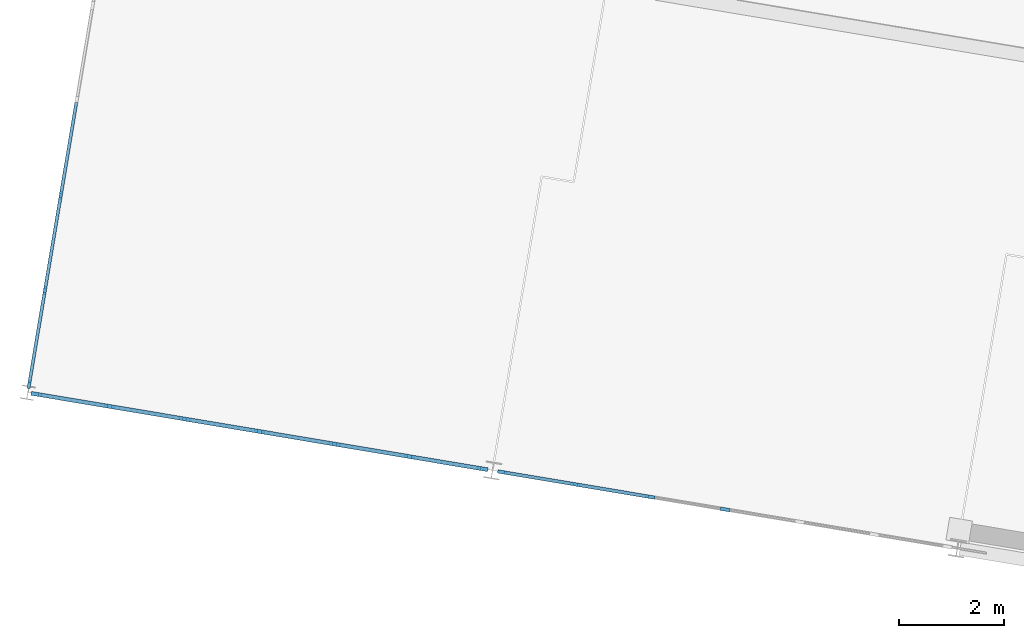
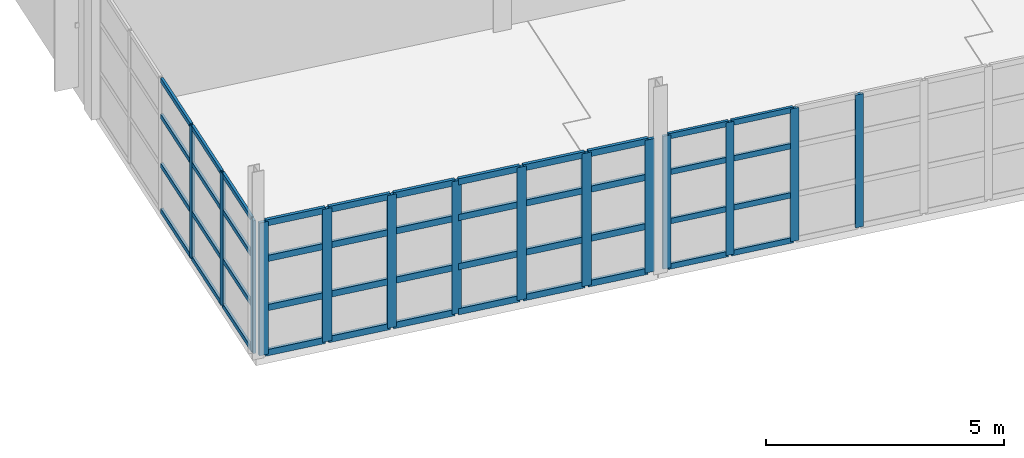
# One storey, part 38 of 102: 58 members, 3 elements without a shape of their own.
"""IFC4 building model written with IfcOpenShell, lengths in metres."""

from ifc_helpers import new_model, si_unit, direction, frame, origin, origin_2d, place, context, subcontext, project, spatial, rectangle, extrude, material, layer, layer_set, material_profile, profile_set, type_object, element, aggregate, save


model = new_model("IFC4")

# Units and contexts
model_context = context("Model", 3, precision=1e-05, world=origin(), true_north=direction((0.0, 1.0)))
body_context = subcontext(model_context, "Body", "Model", "MODEL_VIEW")
ifc_project = project(units=[si_unit("LENGTHUNIT", "METRE"), si_unit("AREAUNIT", "SQUARE_METRE"), si_unit("VOLUMEUNIT", "CUBIC_METRE"), si_unit("PLANEANGLEUNIT", "RADIAN"), si_unit("MASSUNIT", "GRAM", prefix="KILO")], contexts=[model_context])

# Site, building, storey
site_placement = place(None, origin())
site = spatial("IfcSite", under=ifc_project, at=site_placement, CompositionType="ELEMENT")
building_placement = place(site_placement, origin())
building = spatial("IfcBuilding", under=site, at=building_placement, Name="Vireo Bluff Cable Station", CompositionType="ELEMENT")
storey_placement = place(building_placement, frame((0.0, 0.0, 9.60009765625)))
storey = spatial("IfcBuildingStorey", under=building, at=storey_placement, Name="L02", CompositionType="ELEMENT", Elevation=9.60009765625)

# Curtain wall, members
ifc_material = material(Name="Anodized Aluminium 6063-T6", Category="aluminium")
ifc_layer_1 = layer(ifc_material, 0.179931640625, Name="Anodized Aluminium 6063-T6")
ifc_layer_set_1 = layer_set([ifc_layer_1], Name="Anodized Aluminium 6063-T6")
curtain_wall_type_1 = type_object("IfcCurtainWallType", Name="CW-UNIT-1400", PredefinedType="USERDEFINED", material=ifc_layer_set_1)
curtain_wall_1_placement = place(storey_placement, origin())
curtain_wall_1 = element("IfcCurtainWall", 1, at=curtain_wall_1_placement, inside=storey, type_object=curtain_wall_type_1, Name="V4 L02 south curtain wall CW-096", ObjectType="UNITISED CURTAIN WALL", PredefinedType="USERDEFINED")
ifc_material_profile_1 = material_profile(ifc_material, rectangle(XDim=0.06494140625, YDim=0.179931640625, at=origin_2d()), Name="ALU-M-65X180")
ifc_profile_set_1 = profile_set([ifc_material_profile_1], Name="Anodized Aluminium 6063-T6")
member_type_1 = type_object("IfcMemberType", Name="CWM-01", PredefinedType="MULLION", material=ifc_profile_set_1)
member_1_placement = place(storey_placement, frame((18.81396484375, 69.27197265625, 0.0), z_axis=(0.0, 0.0, 1.0), x_axis=(-0.165047656366, -0.986285593085, 0.0)))
member_1 = element("IfcMember", 2, at=member_1_placement, type_object=member_type_1, Name="CW-096 mullion 4", PredefinedType="MULLION", context=body_context, shape_type="SweptSolid", body=[
    extrude(rectangle(XDim=0.06494140625, YDim=0.179931640625, at=origin_2d()), origin(), (0.0, 0.0, 1.0), 3.39990234375),
])
member_2_placement = place(storey_placement, frame((17.38623046875, 69.510986328125, 0.0), z_axis=(0.0, 0.0, 1.0), x_axis=(-0.165047656366, -0.986285593085, 0.0)))
member_2 = element("IfcMember", 3, at=member_2_placement, type_object=member_type_1, Name="CW-096 mullion 5", PredefinedType="MULLION", context=body_context, shape_type="SweptSolid", body=[
    extrude(rectangle(XDim=0.06494140625, YDim=0.179931640625, at=origin_2d()), origin(), (0.0, 0.0, 1.0), 3.39990234375),
])
member_3_placement = place(storey_placement, frame((15.95849609375, 69.749755859375, 0.0), z_axis=(0.0, 0.0, 1.0), x_axis=(-0.165047656366, -0.986285593085, 0.0)))
member_3 = element("IfcMember", 4, at=member_3_placement, type_object=member_type_1, Name="CW-096 mullion 6", PredefinedType="MULLION", context=body_context, shape_type="SweptSolid", body=[
    extrude(rectangle(XDim=0.06494140625, YDim=0.179931640625, at=origin_2d()), origin(), (0.0, 0.0, 1.0), 3.39990234375),
])
member_4_placement = place(storey_placement, frame((14.56298828125, 69.9833984375, 0.0), z_axis=(0.0, 0.0, 1.0), x_axis=(-0.165047656366, -0.986285593085, 0.0)))
member_4 = element("IfcMember", 5, at=member_4_placement, type_object=member_type_1, Name="CW-096 mullion 7", PredefinedType="MULLION", context=body_context, shape_type="SweptSolid", body=[
    extrude(rectangle(XDim=0.06494140625, YDim=0.179931640625, at=origin_2d()), origin(), (0.0, 0.0, 1.0), 3.39990234375),
])

ifc_layer_2 = layer(ifc_material, 0.179931640625, Name="Anodized Aluminium 6063-T6")
ifc_layer_set_2 = layer_set([ifc_layer_2], Name="Anodized Aluminium 6063-T6")
curtain_wall_type_2 = type_object("IfcCurtainWallType", Name="CW-UNIT-1500", PredefinedType="USERDEFINED", material=ifc_layer_set_2)
curtain_wall_2_placement = place(storey_placement, origin())
curtain_wall_2 = element("IfcCurtainWall", 6, at=curtain_wall_2_placement, inside=storey, type_object=curtain_wall_type_2, Name="V4 L02 south curtain wall CW-097", ObjectType="UNITISED CURTAIN WALL", PredefinedType="USERDEFINED")
ifc_material_profile_2 = material_profile(ifc_material, rectangle(XDim=0.074951171875, YDim=0.2099609375, at=origin_2d()), Name="ALU-M-75X210")
ifc_profile_set_2 = profile_set([ifc_material_profile_2], Name="Anodized Aluminium 6063-T6")
member_type_2 = type_object("IfcMemberType", Name="CWM-02", PredefinedType="MULLION", material=ifc_profile_set_2)
member_5_placement = place(storey_placement, frame((14.185302734375, 70.046630859375, 0.0), z_axis=(0.0, 0.0, 1.0), x_axis=(-0.165047618978, -0.986285599342, 0.0)))
member_5 = element("IfcMember", 7, at=member_5_placement, type_object=member_type_2, Name="CW-097 mullion 1", PredefinedType="MULLION", context=body_context, shape_type="SweptSolid", body=[
    extrude(rectangle(XDim=0.074951171875, YDim=0.2099609375, at=origin_2d()), origin(), (0.0, 0.0, 1.0), 3.39990234375),
])
member_6_placement = place(storey_placement, frame((12.7900390625, 70.280029296875, 0.0), z_axis=(0.0, 0.0, 1.0), x_axis=(-0.165047618978, -0.986285599342, 0.0)))
member_6 = element("IfcMember", 8, at=member_6_placement, type_object=member_type_2, Name="CW-097 mullion 2", PredefinedType="MULLION", context=body_context, shape_type="SweptSolid", body=[
    extrude(rectangle(XDim=0.074951171875, YDim=0.2099609375, at=origin_2d()), origin(), (0.0, 0.0, 1.0), 3.39990234375),
])
member_7_placement = place(storey_placement, frame((11.357666015625, 70.519775390625, 0.0), z_axis=(0.0, 0.0, 1.0), x_axis=(-0.165047618978, -0.986285599342, 0.0)))
member_7 = element("IfcMember", 9, at=member_7_placement, type_object=member_type_2, Name="CW-097 mullion 3", PredefinedType="MULLION", context=body_context, shape_type="SweptSolid", body=[
    extrude(rectangle(XDim=0.074951171875, YDim=0.2099609375, at=origin_2d()), origin(), (0.0, 0.0, 1.0), 3.39990234375),
])
member_8_placement = place(storey_placement, frame((9.925537109375, 70.759521484375, 0.0), z_axis=(0.0, 0.0, 1.0), x_axis=(-0.165047618978, -0.986285599342, 0.0)))
member_8 = element("IfcMember", 10, at=member_8_placement, type_object=member_type_2, Name="CW-097 mullion 4", PredefinedType="MULLION", context=body_context, shape_type="SweptSolid", body=[
    extrude(rectangle(XDim=0.074951171875, YDim=0.2099609375, at=origin_2d()), origin(), (0.0, 0.0, 1.0), 3.39990234375),
])
member_9_placement = place(storey_placement, frame((8.4931640625, 70.9990234375, 0.0), z_axis=(0.0, 0.0, 1.0), x_axis=(-0.165047618978, -0.986285599342, 0.0)))
member_9 = element("IfcMember", 11, at=member_9_placement, type_object=member_type_2, Name="CW-097 mullion 5", PredefinedType="MULLION", context=body_context, shape_type="SweptSolid", body=[
    extrude(rectangle(XDim=0.074951171875, YDim=0.2099609375, at=origin_2d()), origin(), (0.0, 0.0, 1.0), 3.39990234375),
])
member_10_placement = place(storey_placement, frame((7.06103515625, 71.23876953125, 0.0), z_axis=(0.0, 0.0, 1.0), x_axis=(-0.165047618978, -0.986285599342, 0.0)))
member_10 = element("IfcMember", 12, at=member_10_placement, type_object=member_type_2, Name="CW-097 mullion 6", PredefinedType="MULLION", context=body_context, shape_type="SweptSolid", body=[
    extrude(rectangle(XDim=0.074951171875, YDim=0.2099609375, at=origin_2d()), origin(), (0.0, 0.0, 1.0), 3.39990234375),
])
member_11_placement = place(storey_placement, frame((5.665771484375, 71.47216796875, 0.0), z_axis=(0.0, 0.0, 1.0), x_axis=(-0.165047618978, -0.986285599342, 0.0)))
member_11 = element("IfcMember", 13, at=member_11_placement, type_object=member_type_2, Name="CW-097 mullion 7", PredefinedType="MULLION", context=body_context, shape_type="SweptSolid", body=[
    extrude(rectangle(XDim=0.074951171875, YDim=0.2099609375, at=origin_2d()), origin(), (0.0, 0.0, 1.0), 3.39990234375),
])

ifc_layer_3 = layer(ifc_material, 0.159912109375, Name="Anodized Aluminium 6063-T6")
ifc_layer_set_3 = layer_set([ifc_layer_3], Name="Anodized Aluminium 6063-T6")
curtain_wall_type_3 = type_object("IfcCurtainWallType", Name="CW-STICK-1750", PredefinedType="USERDEFINED", material=ifc_layer_set_3)
curtain_wall_3_placement = place(storey_placement, origin())
curtain_wall_3 = element("IfcCurtainWall", 14, at=curtain_wall_3_placement, inside=storey, type_object=curtain_wall_type_3, Name="V4 L02 west curtain wall CW-098", ObjectType="STICK CURTAIN WALL", PredefinedType="USERDEFINED")
ifc_material_profile_3 = material_profile(ifc_material, rectangle(XDim=0.06005859375, YDim=0.159912109375, at=origin_2d()), Name="ALU-M-60X160")
ifc_profile_set_3 = profile_set([ifc_material_profile_3], Name="Anodized Aluminium 6063-T6")
member_type_3 = type_object("IfcMemberType", Name="CWM-03", PredefinedType="MULLION", material=ifc_profile_set_3)
member_12_placement = place(storey_placement, frame((5.527099609375, 71.661865234375, 0.0), z_axis=(0.0, 0.0, 1.0), x_axis=(-0.986285596562, 0.165047635589, 0.0)))
member_12 = element("IfcMember", 15, at=member_12_placement, type_object=member_type_3, Name="CW-098 mullion 1", PredefinedType="MULLION", context=body_context, shape_type="SweptSolid", body=[
    extrude(rectangle(XDim=0.06005859375, YDim=0.159912109375, at=origin_2d()), origin(), (0.0, 0.0, 1.0), 3.39990234375),
])
member_13_placement = place(storey_placement, frame((5.825927734375, 73.447509765625, 0.0), z_axis=(0.0, 0.0, 1.0), x_axis=(-0.986285596562, 0.165047635589, 0.0)))
member_13 = element("IfcMember", 16, at=member_13_placement, type_object=member_type_3, Name="CW-098 mullion 2", PredefinedType="MULLION", context=body_context, shape_type="SweptSolid", body=[
    extrude(rectangle(XDim=0.06005859375, YDim=0.159912109375, at=origin_2d()), origin(), (0.0, 0.0, 1.0), 3.39990234375),
])
member_14_placement = place(storey_placement, frame((6.129638671875, 75.2626953125, 0.0), z_axis=(0.0, 0.0, 1.0), x_axis=(-0.986285596562, 0.165047635589, 0.0)))
member_14 = element("IfcMember", 17, at=member_14_placement, type_object=member_type_3, Name="CW-098 mullion 3", PredefinedType="MULLION", context=body_context, shape_type="SweptSolid", body=[
    extrude(rectangle(XDim=0.06005859375, YDim=0.159912109375, at=origin_2d()), origin(), (0.0, 0.0, 1.0), 3.39990234375),
])

# Member
ifc_material_profile_4 = material_profile(ifc_material, rectangle(XDim=0.06494140625, YDim=0.139892578125, at=origin_2d()), Name="ALU-T-65X140")
ifc_profile_set_4 = profile_set([ifc_material_profile_4], Name="Anodized Aluminium 6063-T6")
member_type_4 = type_object("IfcMemberType", Name="CWT-01", PredefinedType="USERDEFINED", material=ifc_profile_set_4)
member_15_placement = place(storey_placement, frame((17.354248046875, 69.516357421875, 0.032470703125), z_axis=(-0.986303088001, 0.164943076847, 0.0), x_axis=(-0.164943076847, -0.986303088001, 0.0)))
member_15 = element("IfcMember", 18, at=member_15_placement, type_object=member_type_4, Name="CW-096 transom 5.1", ObjectType="TRANSOM", PredefinedType="USERDEFINED", context=body_context, shape_type="SweptSolid", body=[
    extrude(rectangle(XDim=0.06494140625, YDim=0.139892578125, at=origin_2d()), origin(), (0.0, 0.0, 1.0), 1.382568359375),
])

member_16_placement = place(storey_placement, frame((17.354248046875, 69.516357421875, 1.18994140625), z_axis=(-0.986303088001, 0.164943076847, 0.0), x_axis=(-0.164943076847, -0.986303088001, 0.0)))
member_16 = element("IfcMember", 19, at=member_16_placement, type_object=member_type_4, Name="CW-096 transom 5.2", ObjectType="TRANSOM", PredefinedType="USERDEFINED", context=body_context, shape_type="SweptSolid", body=[
    extrude(rectangle(XDim=0.06494140625, YDim=0.139892578125, at=origin_2d()), origin(), (0.0, 0.0, 1.0), 1.382568359375),
])

member_17_placement = place(storey_placement, frame((17.354248046875, 69.516357421875, 2.447998046875), z_axis=(-0.986303088001, 0.164943076847, 0.0), x_axis=(-0.164943076847, -0.986303088001, 0.0)))
member_17 = element("IfcMember", 20, at=member_17_placement, type_object=member_type_4, Name="CW-096 transom 5.3", ObjectType="TRANSOM", PredefinedType="USERDEFINED", context=body_context, shape_type="SweptSolid", body=[
    extrude(rectangle(XDim=0.06494140625, YDim=0.139892578125, at=origin_2d()), origin(), (0.0, 0.0, 1.0), 1.382568359375),
])

member_18_placement = place(storey_placement, frame((17.354248046875, 69.516357421875, 3.367431640625), z_axis=(-0.986303088001, 0.164943076847, 0.0), x_axis=(-0.164943076847, -0.986303088001, 0.0)))
member_18 = element("IfcMember", 21, at=member_18_placement, type_object=member_type_4, Name="CW-096 transom 5.4", ObjectType="TRANSOM", PredefinedType="USERDEFINED", context=body_context, shape_type="SweptSolid", body=[
    extrude(rectangle(XDim=0.06494140625, YDim=0.139892578125, at=origin_2d()), origin(), (0.0, 0.0, 1.0), 1.382568359375),
])

member_19_placement = place(storey_placement, frame((15.926513671875, 69.755126953125, 0.032470703125), z_axis=(-0.986276374104, 0.165102737359, 0.0), x_axis=(-0.165102737359, -0.986276374104, 0.0)))
member_19 = element("IfcMember", 22, at=member_19_placement, type_object=member_type_4, Name="CW-096 transom 6.1", ObjectType="TRANSOM", PredefinedType="USERDEFINED", context=body_context, shape_type="SweptSolid", body=[
    extrude(rectangle(XDim=0.06494140625, YDim=0.139892578125, at=origin_2d()), origin(), (0.0, 0.0, 1.0), 1.35009765625),
])

member_20_placement = place(storey_placement, frame((15.926513671875, 69.755126953125, 1.18994140625), z_axis=(-0.986276374104, 0.165102737359, 0.0), x_axis=(-0.165102737359, -0.986276374104, 0.0)))
member_20 = element("IfcMember", 23, at=member_20_placement, type_object=member_type_4, Name="CW-096 transom 6.2", ObjectType="TRANSOM", PredefinedType="USERDEFINED", context=body_context, shape_type="SweptSolid", body=[
    extrude(rectangle(XDim=0.06494140625, YDim=0.139892578125, at=origin_2d()), origin(), (0.0, 0.0, 1.0), 1.35009765625),
])

member_21_placement = place(storey_placement, frame((15.926513671875, 69.755126953125, 2.447998046875), z_axis=(-0.986276374104, 0.165102737359, 0.0), x_axis=(-0.165102737359, -0.986276374104, 0.0)))
member_21 = element("IfcMember", 24, at=member_21_placement, type_object=member_type_4, Name="CW-096 transom 6.3", ObjectType="TRANSOM", PredefinedType="USERDEFINED", context=body_context, shape_type="SweptSolid", body=[
    extrude(rectangle(XDim=0.06494140625, YDim=0.139892578125, at=origin_2d()), origin(), (0.0, 0.0, 1.0), 1.35009765625),
])

member_22_placement = place(storey_placement, frame((15.926513671875, 69.755126953125, 3.367431640625), z_axis=(-0.986276374104, 0.165102737359, 0.0), x_axis=(-0.165102737359, -0.986276374104, 0.0)))
member_22 = element("IfcMember", 25, at=member_22_placement, type_object=member_type_4, Name="CW-096 transom 6.4", ObjectType="TRANSOM", PredefinedType="USERDEFINED", context=body_context, shape_type="SweptSolid", body=[
    extrude(rectangle(XDim=0.06494140625, YDim=0.139892578125, at=origin_2d()), origin(), (0.0, 0.0, 1.0), 1.35009765625),
])

aggregate(curtain_wall_1, [member_1, member_2, member_3, member_4, member_15, member_16, member_17, member_18, member_19, member_20, member_21, member_22])

ifc_material_profile_5 = material_profile(ifc_material, rectangle(XDim=0.074951171875, YDim=0.159912109375, at=origin_2d()), Name="ALU-T-75X160")
ifc_profile_set_5 = profile_set([ifc_material_profile_5], Name="Anodized Aluminium 6063-T6")
member_type_5 = type_object("IfcMemberType", Name="CWT-02", PredefinedType="USERDEFINED", material=ifc_profile_set_5)
member_23_placement = place(storey_placement, frame((14.148193359375, 70.052734375, 0.037353515625), z_axis=(-0.986275460002, 0.16510819785, 0.0), x_axis=(-0.16510819785, -0.986275460002, 0.0)))
member_23 = element("IfcMember", 26, at=member_23_placement, type_object=member_type_5, Name="CW-097 transom 1.1", ObjectType="TRANSOM", PredefinedType="USERDEFINED", context=body_context, shape_type="SweptSolid", body=[
    extrude(rectangle(XDim=0.074951171875, YDim=0.159912109375, at=origin_2d()), origin(), (0.0, 0.0, 1.0), 1.339599609375),
])

member_24_placement = place(storey_placement, frame((14.148193359375, 70.052734375, 1.18994140625), z_axis=(-0.986275460002, 0.16510819785, 0.0), x_axis=(-0.16510819785, -0.986275460002, 0.0)))
member_24 = element("IfcMember", 27, at=member_24_placement, type_object=member_type_5, Name="CW-097 transom 1.2", ObjectType="TRANSOM", PredefinedType="USERDEFINED", context=body_context, shape_type="SweptSolid", body=[
    extrude(rectangle(XDim=0.074951171875, YDim=0.159912109375, at=origin_2d()), origin(), (0.0, 0.0, 1.0), 1.339599609375),
])

member_25_placement = place(storey_placement, frame((14.148193359375, 70.052734375, 2.447998046875), z_axis=(-0.986275460002, 0.16510819785, 0.0), x_axis=(-0.16510819785, -0.986275460002, 0.0)))
member_25 = element("IfcMember", 28, at=member_25_placement, type_object=member_type_5, Name="CW-097 transom 1.3", ObjectType="TRANSOM", PredefinedType="USERDEFINED", context=body_context, shape_type="SweptSolid", body=[
    extrude(rectangle(XDim=0.074951171875, YDim=0.159912109375, at=origin_2d()), origin(), (0.0, 0.0, 1.0), 1.339599609375),
])

member_26_placement = place(storey_placement, frame((14.148193359375, 70.052734375, 3.3623046875), z_axis=(-0.986275460002, 0.16510819785, 0.0), x_axis=(-0.16510819785, -0.986275460002, 0.0)))
member_26 = element("IfcMember", 29, at=member_26_placement, type_object=member_type_5, Name="CW-097 transom 1.4", ObjectType="TRANSOM", PredefinedType="USERDEFINED", context=body_context, shape_type="SweptSolid", body=[
    extrude(rectangle(XDim=0.074951171875, YDim=0.159912109375, at=origin_2d()), origin(), (0.0, 0.0, 1.0), 1.339599609375),
])

member_27_placement = place(storey_placement, frame((12.7529296875, 70.286376953125, 0.037353515625), z_axis=(-0.986283492741, 0.165060207036, 0.0), x_axis=(-0.165060207036, -0.986283492741, 0.0)))
member_27 = element("IfcMember", 30, at=member_27_placement, type_object=member_type_5, Name="CW-097 transom 2.1", ObjectType="TRANSOM", PredefinedType="USERDEFINED", context=body_context, shape_type="SweptSolid", body=[
    extrude(rectangle(XDim=0.074951171875, YDim=0.159912109375, at=origin_2d()), origin(), (0.0, 0.0, 1.0), 1.376953125),
])

member_28_placement = place(storey_placement, frame((12.7529296875, 70.286376953125, 1.18994140625), z_axis=(-0.986283492741, 0.165060207036, 0.0), x_axis=(-0.165060207036, -0.986283492741, 0.0)))
member_28 = element("IfcMember", 31, at=member_28_placement, type_object=member_type_5, Name="CW-097 transom 2.2", ObjectType="TRANSOM", PredefinedType="USERDEFINED", context=body_context, shape_type="SweptSolid", body=[
    extrude(rectangle(XDim=0.074951171875, YDim=0.159912109375, at=origin_2d()), origin(), (0.0, 0.0, 1.0), 1.376953125),
])

member_29_placement = place(storey_placement, frame((12.7529296875, 70.286376953125, 2.447998046875), z_axis=(-0.986283492741, 0.165060207036, 0.0), x_axis=(-0.165060207036, -0.986283492741, 0.0)))
member_29 = element("IfcMember", 32, at=member_29_placement, type_object=member_type_5, Name="CW-097 transom 2.3", ObjectType="TRANSOM", PredefinedType="USERDEFINED", context=body_context, shape_type="SweptSolid", body=[
    extrude(rectangle(XDim=0.074951171875, YDim=0.159912109375, at=origin_2d()), origin(), (0.0, 0.0, 1.0), 1.376953125),
])

member_30_placement = place(storey_placement, frame((12.7529296875, 70.286376953125, 3.3623046875), z_axis=(-0.986283492741, 0.165060207036, 0.0), x_axis=(-0.165060207036, -0.986283492741, 0.0)))
member_30 = element("IfcMember", 33, at=member_30_placement, type_object=member_type_5, Name="CW-097 transom 2.4", ObjectType="TRANSOM", PredefinedType="USERDEFINED", context=body_context, shape_type="SweptSolid", body=[
    extrude(rectangle(XDim=0.074951171875, YDim=0.159912109375, at=origin_2d()), origin(), (0.0, 0.0, 1.0), 1.376953125),
])

member_31_placement = place(storey_placement, frame((11.32080078125, 70.52587890625, 0.037353515625), z_axis=(-0.986288321812, 0.165031349318, 0.0), x_axis=(-0.165031349318, -0.986288321812, 0.0)))
member_31 = element("IfcMember", 34, at=member_31_placement, type_object=member_type_5, Name="CW-097 transom 3.1", ObjectType="TRANSOM", PredefinedType="USERDEFINED", context=body_context, shape_type="SweptSolid", body=[
    extrude(rectangle(XDim=0.074951171875, YDim=0.159912109375, at=origin_2d()), origin(), (0.0, 0.0, 1.0), 1.377197265625),
])

member_32_placement = place(storey_placement, frame((11.32080078125, 70.52587890625, 1.18994140625), z_axis=(-0.986288321812, 0.165031349318, 0.0), x_axis=(-0.165031349318, -0.986288321812, 0.0)))
member_32 = element("IfcMember", 35, at=member_32_placement, type_object=member_type_5, Name="CW-097 transom 3.2", ObjectType="TRANSOM", PredefinedType="USERDEFINED", context=body_context, shape_type="SweptSolid", body=[
    extrude(rectangle(XDim=0.074951171875, YDim=0.159912109375, at=origin_2d()), origin(), (0.0, 0.0, 1.0), 1.377197265625),
])

member_33_placement = place(storey_placement, frame((11.32080078125, 70.52587890625, 2.447998046875), z_axis=(-0.986288321812, 0.165031349318, 0.0), x_axis=(-0.165031349318, -0.986288321812, 0.0)))
member_33 = element("IfcMember", 36, at=member_33_placement, type_object=member_type_5, Name="CW-097 transom 3.3", ObjectType="TRANSOM", PredefinedType="USERDEFINED", context=body_context, shape_type="SweptSolid", body=[
    extrude(rectangle(XDim=0.074951171875, YDim=0.159912109375, at=origin_2d()), origin(), (0.0, 0.0, 1.0), 1.377197265625),
])

member_34_placement = place(storey_placement, frame((11.32080078125, 70.52587890625, 3.3623046875), z_axis=(-0.986288321812, 0.165031349318, 0.0), x_axis=(-0.165031349318, -0.986288321812, 0.0)))
member_34 = element("IfcMember", 37, at=member_34_placement, type_object=member_type_5, Name="CW-097 transom 3.4", ObjectType="TRANSOM", PredefinedType="USERDEFINED", context=body_context, shape_type="SweptSolid", body=[
    extrude(rectangle(XDim=0.074951171875, YDim=0.159912109375, at=origin_2d()), origin(), (0.0, 0.0, 1.0), 1.377197265625),
])

member_35_placement = place(storey_placement, frame((9.888427734375, 70.765625, 0.037353515625), z_axis=(-0.986283492741, 0.165060207036, 0.0), x_axis=(-0.165060207036, -0.986283492741, 0.0)))
member_35 = element("IfcMember", 38, at=member_35_placement, type_object=member_type_5, Name="CW-097 transom 4.1", ObjectType="TRANSOM", PredefinedType="USERDEFINED", context=body_context, shape_type="SweptSolid", body=[
    extrude(rectangle(XDim=0.074951171875, YDim=0.159912109375, at=origin_2d()), origin(), (0.0, 0.0, 1.0), 1.376953125),
])

member_36_placement = place(storey_placement, frame((9.888427734375, 70.765625, 1.18994140625), z_axis=(-0.986283492741, 0.165060207036, 0.0), x_axis=(-0.165060207036, -0.986283492741, 0.0)))
member_36 = element("IfcMember", 39, at=member_36_placement, type_object=member_type_5, Name="CW-097 transom 4.2", ObjectType="TRANSOM", PredefinedType="USERDEFINED", context=body_context, shape_type="SweptSolid", body=[
    extrude(rectangle(XDim=0.074951171875, YDim=0.159912109375, at=origin_2d()), origin(), (0.0, 0.0, 1.0), 1.376953125),
])

member_37_placement = place(storey_placement, frame((9.888427734375, 70.765625, 2.447998046875), z_axis=(-0.986283492741, 0.165060207036, 0.0), x_axis=(-0.165060207036, -0.986283492741, 0.0)))
member_37 = element("IfcMember", 40, at=member_37_placement, type_object=member_type_5, Name="CW-097 transom 4.3", ObjectType="TRANSOM", PredefinedType="USERDEFINED", context=body_context, shape_type="SweptSolid", body=[
    extrude(rectangle(XDim=0.074951171875, YDim=0.159912109375, at=origin_2d()), origin(), (0.0, 0.0, 1.0), 1.376953125),
])

member_38_placement = place(storey_placement, frame((9.888427734375, 70.765625, 3.3623046875), z_axis=(-0.986283492741, 0.165060207036, 0.0), x_axis=(-0.165060207036, -0.986283492741, 0.0)))
member_38 = element("IfcMember", 41, at=member_38_placement, type_object=member_type_5, Name="CW-097 transom 4.4", ObjectType="TRANSOM", PredefinedType="USERDEFINED", context=body_context, shape_type="SweptSolid", body=[
    extrude(rectangle(XDim=0.074951171875, YDim=0.159912109375, at=origin_2d()), origin(), (0.0, 0.0, 1.0), 1.376953125),
])

member_39_placement = place(storey_placement, frame((8.456298828125, 71.00537109375, 0.037353515625), z_axis=(-0.986288321812, 0.165031349318, 0.0), x_axis=(-0.165031349318, -0.986288321812, 0.0)))
member_39 = element("IfcMember", 42, at=member_39_placement, type_object=member_type_5, Name="CW-097 transom 5.1", ObjectType="TRANSOM", PredefinedType="USERDEFINED", context=body_context, shape_type="SweptSolid", body=[
    extrude(rectangle(XDim=0.074951171875, YDim=0.159912109375, at=origin_2d()), origin(), (0.0, 0.0, 1.0), 1.377197265625),
])

member_40_placement = place(storey_placement, frame((8.456298828125, 71.00537109375, 1.18994140625), z_axis=(-0.986288321812, 0.165031349318, 0.0), x_axis=(-0.165031349318, -0.986288321812, 0.0)))
member_40 = element("IfcMember", 43, at=member_40_placement, type_object=member_type_5, Name="CW-097 transom 5.2", ObjectType="TRANSOM", PredefinedType="USERDEFINED", context=body_context, shape_type="SweptSolid", body=[
    extrude(rectangle(XDim=0.074951171875, YDim=0.159912109375, at=origin_2d()), origin(), (0.0, 0.0, 1.0), 1.377197265625),
])

member_41_placement = place(storey_placement, frame((8.456298828125, 71.00537109375, 2.447998046875), z_axis=(-0.986288321812, 0.165031349318, 0.0), x_axis=(-0.165031349318, -0.986288321812, 0.0)))
member_41 = element("IfcMember", 44, at=member_41_placement, type_object=member_type_5, Name="CW-097 transom 5.3", ObjectType="TRANSOM", PredefinedType="USERDEFINED", context=body_context, shape_type="SweptSolid", body=[
    extrude(rectangle(XDim=0.074951171875, YDim=0.159912109375, at=origin_2d()), origin(), (0.0, 0.0, 1.0), 1.377197265625),
])

member_42_placement = place(storey_placement, frame((8.456298828125, 71.00537109375, 3.3623046875), z_axis=(-0.986288321812, 0.165031349318, 0.0), x_axis=(-0.165031349318, -0.986288321812, 0.0)))
member_42 = element("IfcMember", 45, at=member_42_placement, type_object=member_type_5, Name="CW-097 transom 5.4", ObjectType="TRANSOM", PredefinedType="USERDEFINED", context=body_context, shape_type="SweptSolid", body=[
    extrude(rectangle(XDim=0.074951171875, YDim=0.159912109375, at=origin_2d()), origin(), (0.0, 0.0, 1.0), 1.377197265625),
])

member_43_placement = place(storey_placement, frame((7.02392578125, 71.244873046875, 0.037353515625), z_axis=(-0.986275460002, 0.16510819785, 0.0), x_axis=(-0.16510819785, -0.986275460002, 0.0)))
member_43 = element("IfcMember", 46, at=member_43_placement, type_object=member_type_5, Name="CW-097 transom 6.1", ObjectType="TRANSOM", PredefinedType="USERDEFINED", context=body_context, shape_type="SweptSolid", body=[
    extrude(rectangle(XDim=0.074951171875, YDim=0.159912109375, at=origin_2d()), origin(), (0.0, 0.0, 1.0), 1.339599609375),
])

member_44_placement = place(storey_placement, frame((7.02392578125, 71.244873046875, 1.18994140625), z_axis=(-0.986275460002, 0.16510819785, 0.0), x_axis=(-0.16510819785, -0.986275460002, 0.0)))
member_44 = element("IfcMember", 47, at=member_44_placement, type_object=member_type_5, Name="CW-097 transom 6.2", ObjectType="TRANSOM", PredefinedType="USERDEFINED", context=body_context, shape_type="SweptSolid", body=[
    extrude(rectangle(XDim=0.074951171875, YDim=0.159912109375, at=origin_2d()), origin(), (0.0, 0.0, 1.0), 1.339599609375),
])

member_45_placement = place(storey_placement, frame((7.02392578125, 71.244873046875, 2.447998046875), z_axis=(-0.986275460002, 0.16510819785, 0.0), x_axis=(-0.16510819785, -0.986275460002, 0.0)))
member_45 = element("IfcMember", 48, at=member_45_placement, type_object=member_type_5, Name="CW-097 transom 6.3", ObjectType="TRANSOM", PredefinedType="USERDEFINED", context=body_context, shape_type="SweptSolid", body=[
    extrude(rectangle(XDim=0.074951171875, YDim=0.159912109375, at=origin_2d()), origin(), (0.0, 0.0, 1.0), 1.339599609375),
])

member_46_placement = place(storey_placement, frame((7.02392578125, 71.244873046875, 3.3623046875), z_axis=(-0.986275460002, 0.16510819785, 0.0), x_axis=(-0.16510819785, -0.986275460002, 0.0)))
member_46 = element("IfcMember", 49, at=member_46_placement, type_object=member_type_5, Name="CW-097 transom 6.4", ObjectType="TRANSOM", PredefinedType="USERDEFINED", context=body_context, shape_type="SweptSolid", body=[
    extrude(rectangle(XDim=0.074951171875, YDim=0.159912109375, at=origin_2d()), origin(), (0.0, 0.0, 1.0), 1.339599609375),
])

aggregate(curtain_wall_2, [member_5, member_6, member_7, member_8, member_9, member_10, member_11, member_23, member_24, member_25, member_26, member_27, member_28, member_29, member_30, member_31, member_32, member_33, member_34, member_35, member_36, member_37, member_38, member_39, member_40, member_41, member_42, member_43, member_44, member_45, member_46])

ifc_material_profile_6 = material_profile(ifc_material, rectangle(XDim=0.06005859375, YDim=0.1201171875, at=origin_2d()), Name="ALU-T-60X120")
ifc_profile_set_6 = profile_set([ifc_material_profile_6], Name="Anodized Aluminium 6063-T6")
member_type_6 = type_object("IfcMemberType", Name="CWT-03", PredefinedType="USERDEFINED", material=ifc_profile_set_6)
member_47_placement = place(storey_placement, frame((5.531982421875, 71.69140625, 0.02978515625), z_axis=(0.165145351386, 0.986269239567, 0.0), x_axis=(-0.986269239567, 0.165145351386, 0.0)))
member_47 = element("IfcMember", 50, at=member_47_placement, type_object=member_type_6, Name="CW-098 transom 1.1", ObjectType="TRANSOM", PredefinedType="USERDEFINED", context=body_context, shape_type="SweptSolid", body=[
    extrude(rectangle(XDim=0.06005859375, YDim=0.1201171875, at=origin_2d()), origin(), (0.0, 0.0, 1.0), 1.750244140625),
])

member_48_placement = place(storey_placement, frame((5.531982421875, 71.69140625, 1.18994140625), z_axis=(0.165145351386, 0.986269239567, 0.0), x_axis=(-0.986269239567, 0.165145351386, 0.0)))
member_48 = element("IfcMember", 51, at=member_48_placement, type_object=member_type_6, Name="CW-098 transom 1.2", ObjectType="TRANSOM", PredefinedType="USERDEFINED", context=body_context, shape_type="SweptSolid", body=[
    extrude(rectangle(XDim=0.06005859375, YDim=0.1201171875, at=origin_2d()), origin(), (0.0, 0.0, 1.0), 1.750244140625),
])

member_49_placement = place(storey_placement, frame((5.531982421875, 71.69140625, 2.447998046875), z_axis=(0.165145351386, 0.986269239567, 0.0), x_axis=(-0.986269239567, 0.165145351386, 0.0)))
member_49 = element("IfcMember", 52, at=member_49_placement, type_object=member_type_6, Name="CW-098 transom 1.3", ObjectType="TRANSOM", PredefinedType="USERDEFINED", context=body_context, shape_type="SweptSolid", body=[
    extrude(rectangle(XDim=0.06005859375, YDim=0.1201171875, at=origin_2d()), origin(), (0.0, 0.0, 1.0), 1.750244140625),
])

member_50_placement = place(storey_placement, frame((5.531982421875, 71.69140625, 3.369873046875), z_axis=(0.165145351386, 0.986269239567, 0.0), x_axis=(-0.986269239567, 0.165145351386, 0.0)))
member_50 = element("IfcMember", 53, at=member_50_placement, type_object=member_type_6, Name="CW-098 transom 1.4", ObjectType="TRANSOM", PredefinedType="USERDEFINED", context=body_context, shape_type="SweptSolid", body=[
    extrude(rectangle(XDim=0.06005859375, YDim=0.1201171875, at=origin_2d()), origin(), (0.0, 0.0, 1.0), 1.750244140625),
])

member_51_placement = place(storey_placement, frame((5.830810546875, 73.47705078125, 0.02978515625), z_axis=(0.16508823539, 0.986278801626, 0.0), x_axis=(-0.986278801626, 0.16508823539, 0.0)))
member_51 = element("IfcMember", 54, at=member_51_placement, type_object=member_type_6, Name="CW-098 transom 2.1", ObjectType="TRANSOM", PredefinedType="USERDEFINED", context=body_context, shape_type="SweptSolid", body=[
    extrude(rectangle(XDim=0.06005859375, YDim=0.1201171875, at=origin_2d()), origin(), (0.0, 0.0, 1.0), 1.780517578125),
])

member_52_placement = place(storey_placement, frame((5.830810546875, 73.47705078125, 1.18994140625), z_axis=(0.16508823539, 0.986278801626, 0.0), x_axis=(-0.986278801626, 0.16508823539, 0.0)))
member_52 = element("IfcMember", 55, at=member_52_placement, type_object=member_type_6, Name="CW-098 transom 2.2", ObjectType="TRANSOM", PredefinedType="USERDEFINED", context=body_context, shape_type="SweptSolid", body=[
    extrude(rectangle(XDim=0.06005859375, YDim=0.1201171875, at=origin_2d()), origin(), (0.0, 0.0, 1.0), 1.780517578125),
])

member_53_placement = place(storey_placement, frame((5.830810546875, 73.47705078125, 2.447998046875), z_axis=(0.16508823539, 0.986278801626, 0.0), x_axis=(-0.986278801626, 0.16508823539, 0.0)))
member_53 = element("IfcMember", 56, at=member_53_placement, type_object=member_type_6, Name="CW-098 transom 2.3", ObjectType="TRANSOM", PredefinedType="USERDEFINED", context=body_context, shape_type="SweptSolid", body=[
    extrude(rectangle(XDim=0.06005859375, YDim=0.1201171875, at=origin_2d()), origin(), (0.0, 0.0, 1.0), 1.780517578125),
])

member_54_placement = place(storey_placement, frame((5.830810546875, 73.47705078125, 3.369873046875), z_axis=(0.16508823539, 0.986278801626, 0.0), x_axis=(-0.986278801626, 0.16508823539, 0.0)))
member_54 = element("IfcMember", 57, at=member_54_placement, type_object=member_type_6, Name="CW-098 transom 2.4", ObjectType="TRANSOM", PredefinedType="USERDEFINED", context=body_context, shape_type="SweptSolid", body=[
    extrude(rectangle(XDim=0.06005859375, YDim=0.1201171875, at=origin_2d()), origin(), (0.0, 0.0, 1.0), 1.780517578125),
])

member_55_placement = place(storey_placement, frame((6.134521484375, 75.292236328125, 0.02978515625), z_axis=(0.16508823539, 0.986278801626, 0.0), x_axis=(-0.986278801626, 0.16508823539, 0.0)))
member_55 = element("IfcMember", 58, at=member_55_placement, type_object=member_type_6, Name="CW-098 transom 3.1", ObjectType="TRANSOM", PredefinedType="USERDEFINED", context=body_context, shape_type="SweptSolid", body=[
    extrude(rectangle(XDim=0.06005859375, YDim=0.1201171875, at=origin_2d()), origin(), (0.0, 0.0, 1.0), 1.780517578125),
])

member_56_placement = place(storey_placement, frame((6.134521484375, 75.292236328125, 1.18994140625), z_axis=(0.16508823539, 0.986278801626, 0.0), x_axis=(-0.986278801626, 0.16508823539, 0.0)))
member_56 = element("IfcMember", 59, at=member_56_placement, type_object=member_type_6, Name="CW-098 transom 3.2", ObjectType="TRANSOM", PredefinedType="USERDEFINED", context=body_context, shape_type="SweptSolid", body=[
    extrude(rectangle(XDim=0.06005859375, YDim=0.1201171875, at=origin_2d()), origin(), (0.0, 0.0, 1.0), 1.780517578125),
])

member_57_placement = place(storey_placement, frame((6.134521484375, 75.292236328125, 2.447998046875), z_axis=(0.16508823539, 0.986278801626, 0.0), x_axis=(-0.986278801626, 0.16508823539, 0.0)))
member_57 = element("IfcMember", 60, at=member_57_placement, type_object=member_type_6, Name="CW-098 transom 3.3", ObjectType="TRANSOM", PredefinedType="USERDEFINED", context=body_context, shape_type="SweptSolid", body=[
    extrude(rectangle(XDim=0.06005859375, YDim=0.1201171875, at=origin_2d()), origin(), (0.0, 0.0, 1.0), 1.780517578125),
])

member_58_placement = place(storey_placement, frame((6.134521484375, 75.292236328125, 3.369873046875), z_axis=(0.16508823539, 0.986278801626, 0.0), x_axis=(-0.986278801626, 0.16508823539, 0.0)))
member_58 = element("IfcMember", 61, at=member_58_placement, type_object=member_type_6, Name="CW-098 transom 3.4", ObjectType="TRANSOM", PredefinedType="USERDEFINED", context=body_context, shape_type="SweptSolid", body=[
    extrude(rectangle(XDim=0.06005859375, YDim=0.1201171875, at=origin_2d()), origin(), (0.0, 0.0, 1.0), 1.780517578125),
])

aggregate(curtain_wall_3, [member_12, member_13, member_14, member_47, member_48, member_49, member_50, member_51, member_52, member_53, member_54, member_55, member_56, member_57, member_58])

save(model, "model.ifc")
